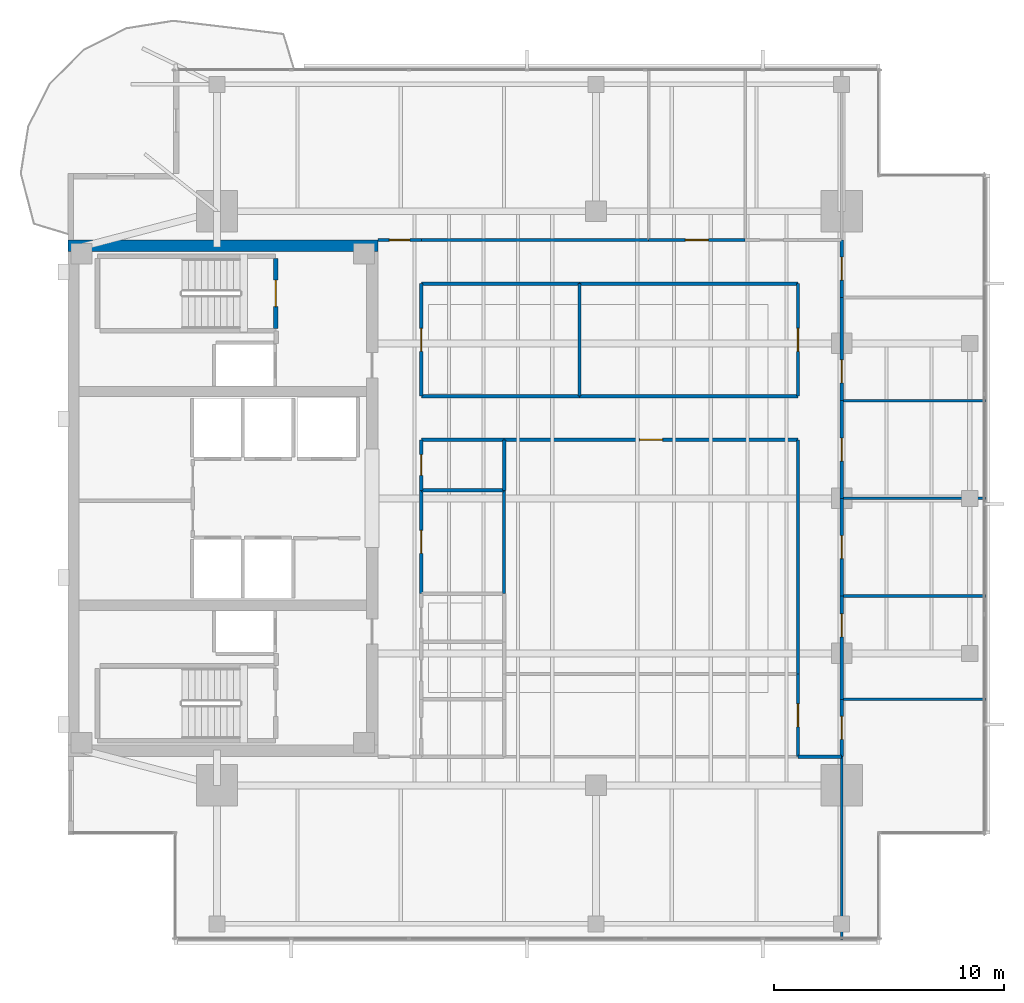
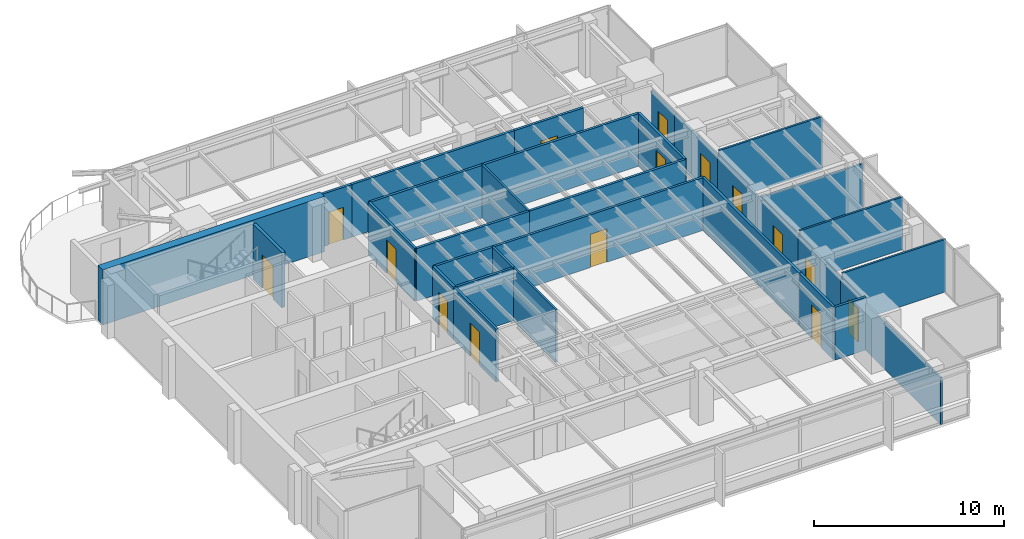
# One storey, part 9 of 14: 33 walls, 15 doors, 15 openings.
"""IFC4 building model written with IfcOpenShell, lengths in metres."""

import ifcopenshell
import ifcopenshell.guid

model = None  # the IFC model being written
_history = None  # IfcOwnerHistory: only IFC2X3 demands one
_inside = {}  # id of a spatial element -> (the spatial element, [elements in it])
_under = {}  # id of a project, library or spatial element -> (it, [spatial elements below it])
_declared = {}  # id of a project -> (the project, [libraries it declares])
_typed = {}  # id of a type object -> (the type object, [elements of that type])
_made_of = {}  # id of a material, layer set ... -> (it, [elements and type objects made of it])


def new_model(schema):
    """Start an empty IFC model of exactly this schema.

    Asked for "IFC4X3", IfcOpenShell would pick the latest addendum, in which some entities
    have other attributes; the version numbers below select the first issue.
    IFC2X3 requires an IfcOwnerHistory on every rooted entity: one is made here for all.
    """
    global model, _history
    if schema == "IFC4X3":
        model = ifcopenshell.file(schema_version=(4, 3, 0, 0))
    else:
        model = ifcopenshell.file(schema=schema)
    _inside.clear()
    _under.clear()
    _declared.clear()
    _typed.clear()
    _made_of.clear()
    _history = None
    if model.schema == "IFC2X3":
        org = make("IfcOrganization", Name="unknown")
        user = make(
            "IfcPersonAndOrganization",
            ThePerson=make("IfcPerson", FamilyName="unknown"),
            TheOrganization=org,
        )
        app = make(
            "IfcApplication",
            ApplicationDeveloper=org,
            Version="unknown",
            ApplicationFullName="unknown",
            ApplicationIdentifier="unknown",
        )
        _history = make(
            "IfcOwnerHistory",
            OwningUser=user,
            OwningApplication=app,
            ChangeAction="ADDED",
            CreationDate=0,
        )
    return model


def make(cls, **values):
    """One entity of the class cls with the attributes given. An attribute that is None is left unset."""
    return model.create_entity(
        cls, **{name: value for name, value in values.items() if value is not None}
    )


def rooted(cls, **values):
    """An entity with a GlobalId (a new one), such as an element, a storey or a relation."""
    return make(cls, GlobalId=ifcopenshell.guid.new(), OwnerHistory=_history, **values)


def si_unit(unit_type, name, prefix=None):
    """IfcSIUnit, for example si_unit("LENGTHUNIT", "METRE", prefix="MILLI")."""
    return make("IfcSIUnit", UnitType=unit_type, Prefix=prefix, Name=name)


def assignment(units):
    """IfcUnitAssignment: the units of a project."""
    return None if units is None else make("IfcUnitAssignment", Units=units)


def point(xyz):
    """IfcCartesianPoint."""
    return None if xyz is None else make("IfcCartesianPoint", Coordinates=xyz)


def direction(xyz):
    """IfcDirection."""
    return None if xyz is None else make("IfcDirection", DirectionRatios=xyz)


def frame(location, z_axis=None, x_axis=None):
    """IfcAxis2Placement3D, a coordinate frame: its origin and axes. An axis left out is left unset."""
    return make(
        "IfcAxis2Placement3D",
        Location=point(location),
        Axis=direction(z_axis),
        RefDirection=direction(x_axis),
    )


def frame_2d(location, x_axis=None):
    """IfcAxis2Placement2D, a coordinate frame in the plane: its origin and x axis."""
    return make(
        "IfcAxis2Placement2D", Location=point(location), RefDirection=direction(x_axis)
    )


def origin():
    """The frame at (0, 0, 0) with its axes left unset."""
    return frame((0.0, 0.0, 0.0))


def place(relative_to, where):
    """IfcLocalPlacement: puts the frame where relative to a parent placement (None: the world)."""
    return make(
        "IfcLocalPlacement", PlacementRelTo=relative_to, RelativePlacement=where
    )


def context(
    kind, dimensions, precision=None, world=None, true_north=None, identifier=None
):
    """IfcGeometricRepresentationContext, for example the 3D "Model" context."""
    return make(
        "IfcGeometricRepresentationContext",
        ContextIdentifier=identifier,
        ContextType=kind,
        CoordinateSpaceDimension=dimensions,
        Precision=precision,
        WorldCoordinateSystem=world,
        TrueNorth=true_north,
    )


def subcontext(parent, identifier, kind, view, scale=None):
    """IfcGeometricRepresentationSubContext, for example "Body" below "Model"."""
    return make(
        "IfcGeometricRepresentationSubContext",
        ContextIdentifier=identifier,
        ContextType=kind,
        ParentContext=parent,
        TargetScale=scale,
        TargetView=view,
    )


def project(units=None, contexts=None):
    """IfcProject with its units and contexts."""
    return rooted(
        "IfcProject",
        Name="project",
        RepresentationContexts=contexts,
        UnitsInContext=assignment(units),
    )


def spatial(cls, under=None, at=None, **own):
    """A site, building, storey or space (cls), placed at a placement, below another one or the project."""
    s = rooted(cls, ObjectPlacement=at, **own)
    if under is not None:
        _under.setdefault(under.id(), (under, []))[1].append(s)
    return s


def profile(cls, at=None, kind="AREA", **sizes):
    """A parametric profile (cls). Its sizes go by their IFC names, for example OverallWidth=200.0."""
    return make(cls, ProfileType=kind, Position=at, **sizes)


def rectangle(**sizes):
    """IfcRectangleProfileDef."""
    return profile("IfcRectangleProfileDef", **sizes)


def extrude(swept, where, along, depth):
    """IfcExtrudedAreaSolid: the profile swept, set in the frame where, extruded along a direction by depth."""
    return make(
        "IfcExtrudedAreaSolid",
        SweptArea=swept,
        Position=where,
        ExtrudedDirection=direction(along),
        Depth=depth,
    )


def shape(context_of_items, identifier, shape_type, items):
    """IfcShapeRepresentation: the items that make up one representation, for example the "Body"."""
    return make(
        "IfcShapeRepresentation",
        ContextOfItems=context_of_items,
        RepresentationIdentifier=identifier,
        RepresentationType=shape_type,
        Items=items,
    )


def material(Name=None, Category=None):
    """IfcMaterial."""
    return make("IfcMaterial", Name=Name, Category=Category)


def layer(
    of_material, thickness, ventilated=None, Name=None, Category=None, Priority=None
):
    """IfcMaterialLayer: one layer of a wall or slab, of a material (None: an air gap)."""
    return make(
        "IfcMaterialLayer",
        Material=of_material,
        LayerThickness=thickness,
        IsVentilated=ventilated,
        Name=Name,
        Category=Category,
        Priority=Priority,
    )


def layer_set(layers, Name=None):
    """IfcMaterialLayerSet."""
    return make("IfcMaterialLayerSet", MaterialLayers=layers, LayerSetName=Name)


def made_of(thing, what):
    """Note that an element or type object is made of a material, layer set ...; save() writes the relation."""
    if what is not None:
        _made_of.setdefault(what.id(), (what, []))[1].append(thing)
    return thing


def type_object(cls, material=None, **own):
    """A type object (cls), such as IfcWallType, which elements share."""
    return made_of(rooted(cls, **own), material)


def element(
    cls,
    number,
    at=None,
    inside=None,
    cuts=None,
    type_object=None,
    material=None,
    context=None,
    identifier="Body",
    shape_type=None,
    held_by="IfcProductDefinitionShape",
    body=None,
    shapes=None,
    **own,
):
    """One element of the class cls, such as IfcWall. Its Tag is "e" and its number.

    at: its placement. inside: the storey or other place that contains it. cuts: it is an
    opening in that element (IfcRelVoidsElement). A single representation is given by context,
    identifier, shape_type and body (its items); several are given by shapes. held_by: the class
    of the entity that holds the representations. save() writes the other relations.
    """
    e = rooted(cls, Tag="e%d" % number, ObjectPlacement=at, **own)
    if body is not None:
        shapes = [shape(context, identifier, shape_type, body)]
    if shapes is not None:
        e.Representation = make(held_by, Representations=shapes)
    if inside is not None:
        _inside.setdefault(inside.id(), (inside, []))[1].append(e)
    if cuts is not None:
        rooted(
            "IfcRelVoidsElement", RelatingBuildingElement=cuts, RelatedOpeningElement=e
        )
    if type_object is not None:
        _typed.setdefault(type_object.id(), (type_object, []))[1].append(e)
    return made_of(e, material)


def fill(opening, filler):
    """IfcRelFillsElement: the door or window that sits in an opening."""
    return rooted(
        "IfcRelFillsElement",
        RelatingOpeningElement=opening,
        RelatedBuildingElement=filler,
    )


def aggregate(whole, parts):
    """IfcRelAggregates: a whole, such as a stair, and the parts it consists of."""
    return rooted("IfcRelAggregates", RelatingObject=whole, RelatedObjects=parts)


def save(model, path):
    """Write the relations noted so far, then the file.

    IfcRelAggregates (storeys below a building ...), IfcRelContainedInSpatialStructure (elements
    in a storey), IfcRelDefinesByType, IfcRelAssociatesMaterial and IfcRelDeclares: one each for
    every whole, place, type object, material and project.
    """
    for whole, parts in _under.values():
        aggregate(whole, parts)
    for where, things in _inside.values():
        rooted(
            "IfcRelContainedInSpatialStructure",
            RelatedElements=things,
            RelatingStructure=where,
        )
    for kind, things in _typed.values():
        rooted("IfcRelDefinesByType", RelatedObjects=things, RelatingType=kind)
    for what, things in _made_of.values():
        rooted("IfcRelAssociatesMaterial", RelatedObjects=things, RelatingMaterial=what)
    for by, libraries in _declared.values():
        rooted("IfcRelDeclares", RelatingContext=by, RelatedDefinitions=libraries)
    model.write(path)


model = new_model("IFC4")

# Units and contexts
model_context = context("Model", 3, precision=1e-05, world=origin(), true_north=direction((0.0, 1.0)))
body_context = subcontext(model_context, "Body", "Model", "MODEL_VIEW")
ifc_project = project(units=[si_unit("LENGTHUNIT", "METRE"), si_unit("AREAUNIT", "SQUARE_METRE"), si_unit("VOLUMEUNIT", "CUBIC_METRE"), si_unit("PLANEANGLEUNIT", "RADIAN"), si_unit("MASSUNIT", "GRAM", prefix="KILO")], contexts=[model_context])

# Site, building, storey
site_placement = place(None, origin())
site = spatial("IfcSite", under=ifc_project, at=site_placement, CompositionType="ELEMENT")
building_placement = place(site_placement, origin())
building = spatial("IfcBuilding", under=site, at=building_placement, Name="Kinhvarn Gate Tower", CompositionType="ELEMENT")
storey_placement = place(building_placement, frame((0.0, 0.0, 281.199951171875)))
storey = spatial("IfcBuildingStorey", under=building, at=storey_placement, Name="L75", CompositionType="ELEMENT", Elevation=281.199951171875)

# Walls
ifc_material_1 = material(Name="Concrete C50/60", Category="concrete")
ifc_layer_1 = layer(ifc_material_1, 0.5)
ifc_layer_set_1 = layer_set([ifc_layer_1], Name="Concrete C50/60")
wall_type_1 = type_object("IfcWallType", Name="WL-CORE-500", PredefinedType="SHEAR", material=ifc_layer_set_1)
wall_1_placement = place(storey_placement, frame((4.5, 36.25, 0.0), z_axis=(0.0, 0.0, 1.0), x_axis=(1.0, 0.0, 0.0)))
element("IfcWall", 1, at=wall_1_placement, inside=storey, type_object=wall_type_1, Name="Core North Shear Wall L75 500 mm", PredefinedType="SHEAR", context=body_context, shape_type="SweptSolid", body=[
    extrude(rectangle(XDim=13.5, YDim=0.5, at=frame_2d((6.75, 0.0))), origin(), (0.0, 0.0, 1.0), 3.550048828125),
])
ifc_material_2 = material(Name="Gypsum acoustic partition board")
ifc_layer_2 = layer(ifc_material_2, 0.14990234375)
ifc_layer_set_2 = layer_set([ifc_layer_2], Name="Gypsum acoustic partition board")
wall_type_2 = type_object("IfcWallType", Name="WL-PLM-150", PredefinedType="PLUMBINGWALL", material=ifc_layer_set_2)
wall_2_placement = place(storey_placement, frame((19.89990234375, 25.60009765625, 0.0), z_axis=(0.0, 0.0, 1.0), x_axis=(1.0, 0.0, 0.0)))
element("IfcWall", 2, at=wall_2_placement, inside=storey, type_object=wall_type_2, Name="Interior Partition PLW-150 (L75)", PredefinedType="PLUMBINGWALL", context=body_context, shape_type="SweptSolid", body=[
    extrude(rectangle(XDim=3.60009765625, YDim=0.14990234375, at=frame_2d((1.800048828125, 0.0))), origin(), (0.0, 0.0, 1.0), 3.39013671875),
])
wall_3_placement = place(storey_placement, frame((23.5, 25.60009765625, 0.0), z_axis=(0.0, 0.0, 1.0), x_axis=(0.0, 1.0, 0.0)))
element("IfcWall", 3, at=wall_3_placement, inside=storey, type_object=wall_type_2, Name="Interior Partition PLW-150 (L75)", PredefinedType="PLUMBINGWALL", context=body_context, shape_type="SweptSolid", body=[
    extrude(rectangle(XDim=2.199951171875, YDim=0.14990234375, at=frame_2d((1.10009765625, 0.0))), origin(), (0.0, 0.0, 1.0), 3.39013671875),
])

# Wall, opening, door
ifc_layer_3 = layer(ifc_material_2, 0.14990234375)
ifc_layer_set_3 = layer_set([ifc_layer_3], Name="Gypsum acoustic partition board")
wall_type_3 = type_object("IfcWallType", Name="WL-PLM-150F", PredefinedType="PLUMBINGWALL", material=ifc_layer_set_3)
wall_4_placement = place(storey_placement, frame((19.89990234375, 25.60009765625, 0.0), z_axis=(0.0, 0.0, 1.0), x_axis=(0.0, 1.0, 0.0)))
wall_4 = element("IfcWall", 4, at=wall_4_placement, inside=storey, type_object=wall_type_3, Name="Interior Partition PLW-150F (L75)", PredefinedType="PLUMBINGWALL", context=body_context, shape_type="SweptSolid", body=[
    extrude(rectangle(XDim=2.199951171875, YDim=0.14990234375, at=frame_2d((1.10009765625, 0.0))), origin(), (0.0, 0.0, 1.0), 3.39013671875),
])
opening_1_placement = place(wall_4_placement, frame((0.64990234375, 0.0, 0.0)))
opening_1 = element("IfcOpeningElement", 5, at=opening_1_placement, cuts=wall_4, Name="Opening FD-04", PredefinedType="OPENING", context=body_context, shape_type="SweptSolid", body=[
    extrude(rectangle(XDim=0.89990234375, YDim=2.10009765625, at=frame_2d((0.449951171875, 1.050048828125))), frame((0.0, 0.0849609375, 0.0), z_axis=(0.0, -1.0, 0.0), x_axis=(1.0, 0.0, 0.0)), (0.0, 0.0, 1.0), 0.169921875),
])
ifc_material_3 = material(Name="Anodised aluminium AW-6063", Category="aluminium")
door_type_1 = type_object("IfcDoorType", Name="DR-FD-900", OperationType="NOTDEFINED", PredefinedType="DOOR", material=ifc_material_3)
door_1_placement = place(opening_1_placement, origin())
door_1 = element("IfcDoor", 6, at=door_1_placement, inside=storey, type_object=door_type_1, Name="Rated Riser & Service Closet Fire Door 900x2100 mm (L75)", OperationType="SINGLE_SWING_LEFT", OverallHeight=2.10009765625, OverallWidth=0.89990234375, PredefinedType="DOOR", context=body_context, shape_type="SweptSolid", body=[
    extrude(rectangle(XDim=0.89990234375, YDim=2.10009765625, at=frame_2d((0.449951171875, 1.050048828125))), frame((0.0, 0.02490234375, 0.0), z_axis=(0.0, -1.0, 0.0), x_axis=(1.0, 0.0, 0.0)), (0.0, 0.0, 1.0), 0.050048828125),
])
fill(opening_1, door_1)

# Walls
wall_5_placement = place(storey_placement, frame((19.89990234375, 27.800048828125, 0.0), z_axis=(0.0, 0.0, 1.0), x_axis=(1.0, 0.0, 0.0)))
element("IfcWall", 7, at=wall_5_placement, inside=storey, type_object=wall_type_3, Name="Interior Partition PLW-150F (L75)", PredefinedType="PLUMBINGWALL", context=body_context, shape_type="SweptSolid", body=[
    extrude(rectangle(XDim=3.60009765625, YDim=0.14990234375, at=frame_2d((1.800048828125, 0.0))), origin(), (0.0, 0.0, 1.0), 3.39013671875),
])
ifc_layer_4 = layer(ifc_material_2, 0.1201171875)
ifc_layer_set_4 = layer_set([ifc_layer_4], Name="Gypsum acoustic partition board")
wall_type_4 = type_object("IfcWallType", Name="WL-PRT-120", PredefinedType="PARTITIONING", material=ifc_layer_set_4)
wall_6_placement = place(storey_placement, frame((26.7900390625, 29.699951171875, 0.0), z_axis=(0.0, 0.0, 1.0), x_axis=(0.0, 1.0, 0.0)))
element("IfcWall", 8, at=wall_6_placement, inside=storey, type_object=wall_type_4, Name="Interior Partition PW-120 (L75)", PredefinedType="PARTITIONING", context=body_context, shape_type="SweptSolid", body=[
    extrude(rectangle(XDim=4.900146484375, YDim=0.1201171875, at=frame_2d((2.4501953125, 0.0))), origin(), (0.0, 0.0, 1.0), 3.39013671875),
])
wall_7_placement = place(storey_placement, frame((23.5, 21.10009765625, 0.0), z_axis=(0.0, 0.0, 1.0), x_axis=(0.0, 1.0, 0.0)))
element("IfcWall", 9, at=wall_7_placement, inside=storey, type_object=wall_type_4, Name="Interior Partition PW-120 (L75)", PredefinedType="PARTITIONING", context=body_context, shape_type="SweptSolid", body=[
    extrude(rectangle(XDim=4.5, YDim=0.1201171875, at=frame_2d((2.25, 0.0))), origin(), (0.0, 0.0, 1.0), 3.39013671875),
])
wall_8_placement = place(storey_placement, frame((38.199951171875, 6.010009765625, 0.0), z_axis=(0.0, 0.0, 1.0), x_axis=(0.0, 1.0, 0.0)))
element("IfcWall", 10, at=wall_8_placement, inside=storey, type_object=wall_type_4, Name="Interior Partition PW-120 (L75)", PredefinedType="PARTITIONING", context=body_context, shape_type="SweptSolid", body=[
    extrude(rectangle(XDim=7.989990234375, YDim=0.1201171875, at=frame_2d((3.9951171875, 0.0))), origin(), (0.0, 0.0, 1.0), 2.989990234375),
])
for number, where, z_axis, x_axis, name in (
    (11, (38.199951171875, 16.5, 0.0), (0.0, 0.0, 1.0), (1.0, 0.0, 0.0), "Interior Partition PW-120 (L75)"),
    (12, (38.199951171875, 21.0, 0.0), (0.0, 0.0, 1.0), (1.0, 0.0, 0.0), "Interior Partition PW-120 (L75)"),
):
    element("IfcWall", number, at=place(storey_placement, frame(where, z_axis=z_axis, x_axis=x_axis)), inside=storey, type_object=wall_type_4, Name=name, PredefinedType="PARTITIONING", context=body_context, shape_type="SweptSolid", body=[
        extrude(rectangle(XDim=6.2900390625, YDim=0.1201171875, at=frame_2d((3.14501953125, 0.0))), origin(), (0.0, 0.0, 1.0), 3.39013671875),
    ])
wall_9_placement = place(storey_placement, frame((38.199951171875, 25.25, 0.0), z_axis=(0.0, 0.0, 1.0), x_axis=(1.0, 0.0, 0.0)))
element("IfcWall", 13, at=wall_9_placement, inside=storey, type_object=wall_type_4, Name="Interior Partition PW-120 (L75)", PredefinedType="PARTITIONING", context=body_context, shape_type="SweptSolid", body=[
    extrude(rectangle(XDim=6.2900390625, YDim=0.1201171875, at=frame_2d((3.14501953125, 0.0))), origin(), (0.0, 0.0, 1.0), 2.93994140625),
])
wall_10_placement = place(storey_placement, frame((38.199951171875, 29.5, 0.0), z_axis=(0.0, 0.0, 1.0), x_axis=(1.0, 0.0, 0.0)))
element("IfcWall", 14, at=wall_10_placement, inside=storey, type_object=wall_type_4, Name="Interior Partition PW-120 (L75)", PredefinedType="PARTITIONING", context=body_context, shape_type="SweptSolid", body=[
    extrude(rectangle(XDim=6.2900390625, YDim=0.1201171875, at=frame_2d((3.14501953125, 0.0))), origin(), (0.0, 0.0, 1.0), 3.39013671875),
])

# Wall, opening, door
ifc_layer_5 = layer(ifc_material_2, 0.14990234375)
ifc_layer_set_5 = layer_set([ifc_layer_5], Name="Gypsum acoustic partition board")
wall_type_5 = type_object("IfcWallType", Name="WL-PRT-150F", PredefinedType="PARTITIONING", material=ifc_layer_set_5)
wall_11_placement = place(storey_placement, frame((19.89990234375, 29.699951171875, 0.0), z_axis=(0.0, 0.0, 1.0), x_axis=(0.0, 1.0, 0.0)))
wall_11 = element("IfcWall", 15, at=wall_11_placement, inside=storey, type_object=wall_type_5, Name="Interior Partition PW-150F (L75)", PredefinedType="PARTITIONING", context=body_context, shape_type="SweptSolid", body=[
    extrude(rectangle(XDim=4.900146484375, YDim=0.14990234375, at=frame_2d((2.4501953125, 0.0))), origin(), (0.0, 0.0, 1.0), 3.39013671875),
])
opening_2_placement = place(wall_11_placement, frame((1.949951171875, 0.0, 0.0)))
opening_2 = element("IfcOpeningElement", 16, at=opening_2_placement, cuts=wall_11, Name="Opening ID-02", PredefinedType="OPENING", context=body_context, shape_type="SweptSolid", body=[
    extrude(rectangle(XDim=1.0, YDim=2.14990234375, at=frame_2d((0.5, 1.074951171875))), frame((0.0, 0.0849609375, 0.0), z_axis=(0.0, -1.0, 0.0), x_axis=(1.0, 0.0, 0.0)), (0.0, 0.0, 1.0), 0.169921875),
])
door_type_2 = type_object("IfcDoorType", Name="DR-INT-1000", OperationType="NOTDEFINED", PredefinedType="DOOR", material=ifc_material_3)
door_2_placement = place(opening_2_placement, origin())
door_2 = element("IfcDoor", 17, at=door_2_placement, inside=storey, type_object=door_type_2, Name="Standard Office & Meeting Room Door 1000x2150 mm (L75)", OperationType="SINGLE_SWING_LEFT", OverallHeight=2.14990234375, OverallWidth=1.0, PredefinedType="DOOR", context=body_context, shape_type="SweptSolid", body=[
    extrude(rectangle(XDim=1.0, YDim=2.14990234375, at=frame_2d((0.5, 1.074951171875))), frame((0.0, 0.02490234375, 0.0), z_axis=(0.0, -1.0, 0.0), x_axis=(1.0, 0.0, 0.0)), (0.0, 0.0, 1.0), 0.050048828125),
])
fill(opening_2, door_2)

wall_12_placement = place(storey_placement, frame((19.89990234375, 21.10009765625, 0.0), z_axis=(0.0, 0.0, 1.0), x_axis=(0.0, 1.0, 0.0)))
wall_12 = element("IfcWall", 18, at=wall_12_placement, inside=storey, type_object=wall_type_5, Name="Interior Partition PW-150F (L75)", PredefinedType="PARTITIONING", context=body_context, shape_type="SweptSolid", body=[
    extrude(rectangle(XDim=4.5, YDim=0.14990234375, at=frame_2d((2.25, 0.0))), origin(), (0.0, 0.0, 1.0), 3.39013671875),
])
opening_3_placement = place(wall_12_placement, frame((1.75, 0.0, 0.0)))
opening_3 = element("IfcOpeningElement", 19, at=opening_3_placement, cuts=wall_12, Name="Opening ID-02", PredefinedType="OPENING", context=body_context, shape_type="SweptSolid", body=[
    extrude(rectangle(XDim=1.0, YDim=2.14990234375, at=frame_2d((0.5, 1.074951171875))), frame((0.0, 0.0849609375, 0.0), z_axis=(0.0, -1.0, 0.0), x_axis=(1.0, 0.0, 0.0)), (0.0, 0.0, 1.0), 0.169921875),
])
door_3_placement = place(opening_3_placement, origin())
door_3 = element("IfcDoor", 20, at=door_3_placement, inside=storey, type_object=door_type_2, Name="Standard Office & Meeting Room Door 1000x2150 mm (L75)", OperationType="SINGLE_SWING_RIGHT", OverallHeight=2.14990234375, OverallWidth=1.0, PredefinedType="DOOR", context=body_context, shape_type="SweptSolid", body=[
    extrude(rectangle(XDim=1.0, YDim=2.14990234375, at=frame_2d((0.5, 1.074951171875))), frame((0.0, 0.02490234375, 0.0), z_axis=(0.0, -1.0, 0.0), x_axis=(1.0, 0.0, 0.0)), (0.0, 0.0, 1.0), 0.050048828125),
])
fill(opening_3, door_3)

wall_13_placement = place(storey_placement, frame((18.0, 36.5, 0.0), z_axis=(0.0, 0.0, 1.0), x_axis=(1.0, 0.0, 0.0)))
wall_13 = element("IfcWall", 21, at=wall_13_placement, inside=storey, type_object=wall_type_5, Name="Interior Partition PW-150F (L75)", PredefinedType="PARTITIONING", context=body_context, shape_type="SweptSolid", body=[
    extrude(rectangle(XDim=1.89990234375, YDim=0.14990234375, at=frame_2d((0.949951171875, 0.0))), origin(), (0.0, 0.0, 1.0), 3.39013671875),
])
opening_4_placement = place(wall_13_placement, frame((0.5, 0.0, 0.0)))
opening_4 = element("IfcOpeningElement", 22, at=opening_4_placement, cuts=wall_13, Name="Opening ID-03", PredefinedType="OPENING", context=body_context, shape_type="SweptSolid", body=[
    extrude(rectangle(XDim=0.89990234375, YDim=2.10009765625, at=frame_2d((0.449951171875, 1.050048828125))), frame((0.0, 0.0849609375, 0.0), z_axis=(0.0, -1.0, 0.0), x_axis=(1.0, 0.0, 0.0)), (0.0, 0.0, 1.0), 0.169921875),
])
door_type_3 = type_object("IfcDoorType", Name="DR-INT-900", OperationType="NOTDEFINED", PredefinedType="DOOR", material=ifc_material_3)
door_4_placement = place(opening_4_placement, origin())
door_4 = element("IfcDoor", 23, at=door_4_placement, inside=storey, type_object=door_type_3, Name="Cellular Office & Restroom Door 900x2100 mm (L75)", OperationType="SINGLE_SWING_RIGHT", OverallHeight=2.10009765625, OverallWidth=0.89990234375, PredefinedType="DOOR", context=body_context, shape_type="SweptSolid", body=[
    extrude(rectangle(XDim=0.89990234375, YDim=2.10009765625, at=frame_2d((0.449951171875, 1.050048828125))), frame((0.0, 0.02490234375, 0.0), z_axis=(0.0, -1.0, 0.0), x_axis=(1.0, 0.0, 0.0)), (0.0, 0.0, 1.0), 0.050048828125),
])
fill(opening_4, door_4)

# Walls
wall_14_placement = place(storey_placement, frame((19.89990234375, 29.699951171875, 0.0), z_axis=(0.0, 0.0, 1.0), x_axis=(1.0, 0.0, 0.0)))
element("IfcWall", 24, at=wall_14_placement, inside=storey, type_object=wall_type_5, Name="Interior Partition PW-150F (L75)", PredefinedType="PARTITIONING", context=body_context, shape_type="SweptSolid", body=[
    extrude(rectangle(XDim=6.89013671875, YDim=0.14990234375, at=frame_2d((3.445068359375, 0.0))), origin(), (0.0, 0.0, 1.0), 3.39013671875),
])
wall_15_placement = place(storey_placement, frame((26.7900390625, 29.699951171875, 0.0), z_axis=(0.0, 0.0, 1.0), x_axis=(1.0, 0.0, 0.0)))
element("IfcWall", 25, at=wall_15_placement, inside=storey, type_object=wall_type_5, Name="Interior Partition PW-150F (L75)", PredefinedType="PARTITIONING", context=body_context, shape_type="SweptSolid", body=[
    extrude(rectangle(XDim=9.510009765625, YDim=0.14990234375, at=frame_2d((4.7548828125, 0.0))), origin(), (0.0, 0.0, 1.0), 3.39013671875),
])

# Wall, opening, door
wall_16_placement = place(storey_placement, frame((23.5, 27.800048828125, 0.0), z_axis=(0.0, 0.0, 1.0), x_axis=(1.0, 0.0, 0.0)))
wall_16 = element("IfcWall", 26, at=wall_16_placement, inside=storey, type_object=wall_type_5, Name="Interior Partition PW-150F (L75)", PredefinedType="PARTITIONING", context=body_context, shape_type="SweptSolid", body=[
    extrude(rectangle(XDim=12.800048828125, YDim=0.14990234375, at=frame_2d((6.39990234375, 0.0))), origin(), (0.0, 0.0, 1.0), 3.39013671875),
])
opening_5_placement = place(wall_16_placement, frame((5.89990234375, 0.0, 0.0)))
opening_5 = element("IfcOpeningElement", 27, at=opening_5_placement, cuts=wall_16, Name="Opening ID-02", PredefinedType="OPENING", context=body_context, shape_type="SweptSolid", body=[
    extrude(rectangle(XDim=1.0, YDim=2.14990234375, at=frame_2d((0.5, 1.074951171875))), frame((0.0, 0.0849609375, 0.0), z_axis=(0.0, -1.0, 0.0), x_axis=(1.0, 0.0, 0.0)), (0.0, 0.0, 1.0), 0.169921875),
])
door_5_placement = place(opening_5_placement, origin())
door_5 = element("IfcDoor", 28, at=door_5_placement, inside=storey, type_object=door_type_2, Name="Standard Office & Meeting Room Door 1000x2150 mm (L75)", OperationType="SINGLE_SWING_LEFT", OverallHeight=2.14990234375, OverallWidth=1.0, PredefinedType="DOOR", context=body_context, shape_type="SweptSolid", body=[
    extrude(rectangle(XDim=1.0, YDim=2.14990234375, at=frame_2d((0.5, 1.074951171875))), frame((0.0, 0.02490234375, 0.0), z_axis=(0.0, -1.0, 0.0), x_axis=(1.0, 0.0, 0.0)), (0.0, 0.0, 1.0), 0.050048828125),
])
fill(opening_5, door_5)

wall_17_placement = place(storey_placement, frame((36.300048828125, 29.699951171875, 0.0), z_axis=(0.0, 0.0, 1.0), x_axis=(0.0, 1.0, 0.0)))
wall_17 = element("IfcWall", 29, at=wall_17_placement, inside=storey, type_object=wall_type_5, Name="Interior Partition PW-150F (L75)", PredefinedType="PARTITIONING", context=body_context, shape_type="SweptSolid", body=[
    extrude(rectangle(XDim=4.900146484375, YDim=0.14990234375, at=frame_2d((2.4501953125, 0.0))), origin(), (0.0, 0.0, 1.0), 3.39013671875),
])
opening_6_placement = place(wall_17_placement, frame((1.949951171875, 0.0, 0.0)))
opening_6 = element("IfcOpeningElement", 30, at=opening_6_placement, cuts=wall_17, Name="Opening ID-02", PredefinedType="OPENING", context=body_context, shape_type="SweptSolid", body=[
    extrude(rectangle(XDim=1.0, YDim=2.14990234375, at=frame_2d((0.5, 1.074951171875))), frame((0.0, 0.0849609375, 0.0), z_axis=(0.0, -1.0, 0.0), x_axis=(1.0, 0.0, 0.0)), (0.0, 0.0, 1.0), 0.169921875),
])
door_6_placement = place(opening_6_placement, origin())
door_6 = element("IfcDoor", 31, at=door_6_placement, inside=storey, type_object=door_type_2, Name="Standard Office & Meeting Room Door 1000x2150 mm (L75)", OperationType="SINGLE_SWING_RIGHT", OverallHeight=2.14990234375, OverallWidth=1.0, PredefinedType="DOOR", context=body_context, shape_type="SweptSolid", body=[
    extrude(rectangle(XDim=1.0, YDim=2.14990234375, at=frame_2d((0.5, 1.074951171875))), frame((0.0, 0.02490234375, 0.0), z_axis=(0.0, -1.0, 0.0), x_axis=(1.0, 0.0, 0.0)), (0.0, 0.0, 1.0), 0.050048828125),
])
fill(opening_6, door_6)

wall_18_placement = place(storey_placement, frame((36.300048828125, 14.0, 0.0), z_axis=(0.0, 0.0, 1.0), x_axis=(0.0, 1.0, 0.0)))
wall_18 = element("IfcWall", 32, at=wall_18_placement, inside=storey, type_object=wall_type_5, Name="Interior Partition PW-150F (L75)", PredefinedType="PARTITIONING", context=body_context, shape_type="SweptSolid", body=[
    extrude(rectangle(XDim=3.60009765625, YDim=0.14990234375, at=frame_2d((1.800048828125, 0.0))), origin(), (0.0, 0.0, 1.0), 3.39013671875),
])
opening_7_placement = place(wall_18_placement, frame((1.300048828125, 0.0, 0.0)))
opening_7 = element("IfcOpeningElement", 33, at=opening_7_placement, cuts=wall_18, Name="Opening ID-02", PredefinedType="OPENING", context=body_context, shape_type="SweptSolid", body=[
    extrude(rectangle(XDim=1.0, YDim=2.14990234375, at=frame_2d((0.5, 1.074951171875))), frame((0.0, 0.0849609375, 0.0), z_axis=(0.0, -1.0, 0.0), x_axis=(1.0, 0.0, 0.0)), (0.0, 0.0, 1.0), 0.169921875),
])
door_7_placement = place(opening_7_placement, origin())
door_7 = element("IfcDoor", 34, at=door_7_placement, inside=storey, type_object=door_type_2, Name="Standard Office & Meeting Room Door 1000x2150 mm (L75)", OperationType="SINGLE_SWING_LEFT", OverallHeight=2.14990234375, OverallWidth=1.0, PredefinedType="DOOR", context=body_context, shape_type="SweptSolid", body=[
    extrude(rectangle(XDim=1.0, YDim=2.14990234375, at=frame_2d((0.5, 1.074951171875))), frame((0.0, 0.02490234375, 0.0), z_axis=(0.0, -1.0, 0.0), x_axis=(1.0, 0.0, 0.0)), (0.0, 0.0, 1.0), 0.050048828125),
])
fill(opening_7, door_7)

# Walls
wall_19_placement = place(storey_placement, frame((36.300048828125, 17.60009765625, 0.0), z_axis=(0.0, 0.0, 1.0), x_axis=(0.0, 1.0, 0.0)))
element("IfcWall", 35, at=wall_19_placement, inside=storey, type_object=wall_type_5, Name="Interior Partition PW-150F (L75)", PredefinedType="PARTITIONING", context=body_context, shape_type="SweptSolid", body=[
    extrude(rectangle(XDim=10.199951171875, YDim=0.14990234375, at=frame_2d((5.10009765625, 0.0))), origin(), (0.0, 0.0, 1.0), 3.39013671875),
])
wall_20_placement = place(storey_placement, frame((36.300048828125, 14.0, 0.0), z_axis=(0.0, 0.0, 1.0), x_axis=(1.0, 0.0, 0.0)))
element("IfcWall", 36, at=wall_20_placement, inside=storey, type_object=wall_type_5, Name="Interior Partition PW-150F (L75)", PredefinedType="PARTITIONING", context=body_context, shape_type="SweptSolid", body=[
    extrude(rectangle(XDim=1.89990234375, YDim=0.14990234375, at=frame_2d((0.949951171875, 0.0))), origin(), (0.0, 0.0, 1.0), 3.39013671875),
])

# Wall, opening, door
wall_21_placement = place(storey_placement, frame((38.199951171875, 14.0, 0.0), z_axis=(0.0, 0.0, 1.0), x_axis=(0.0, 1.0, 0.0)))
wall_21 = element("IfcWall", 37, at=wall_21_placement, inside=storey, type_object=wall_type_5, Name="Interior Partition PW-150F (L75)", PredefinedType="PARTITIONING", context=body_context, shape_type="SweptSolid", body=[
    extrude(rectangle(XDim=2.5, YDim=0.14990234375, at=frame_2d((1.25, 0.0))), origin(), (0.0, 0.0, 1.0), 2.989990234375),
])
opening_8_placement = place(wall_21_placement, frame((0.75, 0.0, 0.0)))
opening_8 = element("IfcOpeningElement", 38, at=opening_8_placement, cuts=wall_21, Name="Opening ID-02", PredefinedType="OPENING", context=body_context, shape_type="SweptSolid", body=[
    extrude(rectangle(XDim=1.0, YDim=2.14990234375, at=frame_2d((0.5, 1.074951171875))), frame((0.0, 0.0849609375, 0.0), z_axis=(0.0, -1.0, 0.0), x_axis=(1.0, 0.0, 0.0)), (0.0, 0.0, 1.0), 0.169921875),
])
door_8_placement = place(opening_8_placement, origin())
door_8 = element("IfcDoor", 39, at=door_8_placement, inside=storey, type_object=door_type_2, Name="Standard Office & Meeting Room Door 1000x2150 mm (L75)", OperationType="SINGLE_SWING_RIGHT", OverallHeight=2.14990234375, OverallWidth=1.0, PredefinedType="DOOR", context=body_context, shape_type="SweptSolid", body=[
    extrude(rectangle(XDim=1.0, YDim=2.14990234375, at=frame_2d((0.5, 1.074951171875))), frame((0.0, 0.02490234375, 0.0), z_axis=(0.0, -1.0, 0.0), x_axis=(1.0, 0.0, 0.0)), (0.0, 0.0, 1.0), 0.050048828125),
])
fill(opening_8, door_8)

wall_22_placement = place(storey_placement, frame((38.199951171875, 16.5, 0.0), z_axis=(0.0, 0.0, 1.0), x_axis=(0.0, 1.0, 0.0)))
wall_22 = element("IfcWall", 40, at=wall_22_placement, inside=storey, type_object=wall_type_5, Name="Interior Partition PW-150F (L75)", PredefinedType="PARTITIONING", context=body_context, shape_type="SweptSolid", body=[
    extrude(rectangle(XDim=4.5, YDim=0.14990234375, at=frame_2d((2.25, 0.0))), origin(), (0.0, 0.0, 1.0), 2.989990234375),
])
opening_9_placement = place(wall_22_placement, frame((2.721923828125, 0.0, 0.0)))
opening_9 = element("IfcOpeningElement", 41, at=opening_9_placement, cuts=wall_22, Name="Opening ID-02", PredefinedType="OPENING", context=body_context, shape_type="SweptSolid", body=[
    extrude(rectangle(XDim=1.0, YDim=2.14990234375, at=frame_2d((0.5, 1.074951171875))), frame((0.0, 0.0849609375, 0.0), z_axis=(0.0, -1.0, 0.0), x_axis=(1.0, 0.0, 0.0)), (0.0, 0.0, 1.0), 0.169921875),
])
door_9_placement = place(opening_9_placement, origin())
door_9 = element("IfcDoor", 42, at=door_9_placement, inside=storey, type_object=door_type_2, Name="Standard Office & Meeting Room Door 1000x2150 mm (L75)", OperationType="SINGLE_SWING_LEFT", OverallHeight=2.14990234375, OverallWidth=1.0, PredefinedType="DOOR", context=body_context, shape_type="SweptSolid", body=[
    extrude(rectangle(XDim=1.0, YDim=2.14990234375, at=frame_2d((0.5, 1.074951171875))), frame((0.0, 0.02490234375, 0.0), z_axis=(0.0, -1.0, 0.0), x_axis=(1.0, 0.0, 0.0)), (0.0, 0.0, 1.0), 0.050048828125),
])
fill(opening_9, door_9)

wall_23_placement = place(storey_placement, frame((38.199951171875, 21.0, 0.0), z_axis=(0.0, 0.0, 1.0), x_axis=(0.0, 1.0, 0.0)))
wall_23 = element("IfcWall", 43, at=wall_23_placement, inside=storey, type_object=wall_type_5, Name="Interior Partition PW-150F (L75)", PredefinedType="PARTITIONING", context=body_context, shape_type="SweptSolid", body=[
    extrude(rectangle(XDim=4.25, YDim=0.14990234375, at=frame_2d((2.125, 0.0))), origin(), (0.0, 0.0, 1.0), 2.989990234375),
])
opening_10_placement = place(wall_23_placement, frame((1.625, 0.0, 0.0)))
opening_10 = element("IfcOpeningElement", 44, at=opening_10_placement, cuts=wall_23, Name="Opening ID-02", PredefinedType="OPENING", context=body_context, shape_type="SweptSolid", body=[
    extrude(rectangle(XDim=1.0, YDim=2.14990234375, at=frame_2d((0.5, 1.074951171875))), frame((0.0, 0.0849609375, 0.0), z_axis=(0.0, -1.0, 0.0), x_axis=(1.0, 0.0, 0.0)), (0.0, 0.0, 1.0), 0.169921875),
])
door_10_placement = place(opening_10_placement, origin())
door_10 = element("IfcDoor", 45, at=door_10_placement, inside=storey, type_object=door_type_2, Name="Standard Office & Meeting Room Door 1000x2150 mm (L75)", OperationType="SINGLE_SWING_RIGHT", OverallHeight=2.14990234375, OverallWidth=1.0, PredefinedType="DOOR", context=body_context, shape_type="SweptSolid", body=[
    extrude(rectangle(XDim=1.0, YDim=2.14990234375, at=frame_2d((0.5, 1.074951171875))), frame((0.0, 0.02490234375, 0.0), z_axis=(0.0, -1.0, 0.0), x_axis=(1.0, 0.0, 0.0)), (0.0, 0.0, 1.0), 0.050048828125),
])
fill(opening_10, door_10)

wall_24_placement = place(storey_placement, frame((38.199951171875, 25.25, 0.0), z_axis=(0.0, 0.0, 1.0), x_axis=(0.0, 1.0, 0.0)))
wall_24 = element("IfcWall", 46, at=wall_24_placement, inside=storey, type_object=wall_type_5, Name="Interior Partition PW-150F (L75)", PredefinedType="PARTITIONING", context=body_context, shape_type="SweptSolid", body=[
    extrude(rectangle(XDim=4.25, YDim=0.14990234375, at=frame_2d((2.125, 0.0))), origin(), (0.0, 0.0, 1.0), 2.989990234375),
])
opening_11_placement = place(wall_24_placement, frame((1.625, 0.0, 0.0)))
opening_11 = element("IfcOpeningElement", 47, at=opening_11_placement, cuts=wall_24, Name="Opening ID-02", PredefinedType="OPENING", context=body_context, shape_type="SweptSolid", body=[
    extrude(rectangle(XDim=1.0, YDim=2.14990234375, at=frame_2d((0.5, 1.074951171875))), frame((0.0, 0.0849609375, 0.0), z_axis=(0.0, -1.0, 0.0), x_axis=(1.0, 0.0, 0.0)), (0.0, 0.0, 1.0), 0.169921875),
])
door_11_placement = place(opening_11_placement, origin())
door_11 = element("IfcDoor", 48, at=door_11_placement, inside=storey, type_object=door_type_2, Name="Standard Office & Meeting Room Door 1000x2150 mm (L75)", OperationType="SINGLE_SWING_LEFT", OverallHeight=2.14990234375, OverallWidth=1.0, PredefinedType="DOOR", context=body_context, shape_type="SweptSolid", body=[
    extrude(rectangle(XDim=1.0, YDim=2.14990234375, at=frame_2d((0.5, 1.074951171875))), frame((0.0, 0.02490234375, 0.0), z_axis=(0.0, -1.0, 0.0), x_axis=(1.0, 0.0, 0.0)), (0.0, 0.0, 1.0), 0.050048828125),
])
fill(opening_11, door_11)

wall_25_placement = place(storey_placement, frame((38.199951171875, 29.5, 0.0), z_axis=(0.0, 0.0, 1.0), x_axis=(0.0, 1.0, 0.0)))
wall_25 = element("IfcWall", 49, at=wall_25_placement, inside=storey, type_object=wall_type_5, Name="Interior Partition PW-150F (L75)", PredefinedType="PARTITIONING", context=body_context, shape_type="SweptSolid", body=[
    extrude(rectangle(XDim=4.5, YDim=0.14990234375, at=frame_2d((2.25, 0.0))), origin(), (0.0, 0.0, 1.0), 2.989990234375),
])
opening_12_placement = place(wall_25_placement, frame((0.778076171875, 0.0, 0.0)))
opening_12 = element("IfcOpeningElement", 50, at=opening_12_placement, cuts=wall_25, Name="Opening ID-02", PredefinedType="OPENING", context=body_context, shape_type="SweptSolid", body=[
    extrude(rectangle(XDim=1.0, YDim=2.14990234375, at=frame_2d((0.5, 1.074951171875))), frame((0.0, 0.0849609375, 0.0), z_axis=(0.0, -1.0, 0.0), x_axis=(1.0, 0.0, 0.0)), (0.0, 0.0, 1.0), 0.169921875),
])
door_12_placement = place(opening_12_placement, origin())
door_12 = element("IfcDoor", 51, at=door_12_placement, inside=storey, type_object=door_type_2, Name="Standard Office & Meeting Room Door 1000x2150 mm (L75)", OperationType="SINGLE_SWING_RIGHT", OverallHeight=2.14990234375, OverallWidth=1.0, PredefinedType="DOOR", context=body_context, shape_type="SweptSolid", body=[
    extrude(rectangle(XDim=1.0, YDim=2.14990234375, at=frame_2d((0.5, 1.074951171875))), frame((0.0, 0.02490234375, 0.0), z_axis=(0.0, -1.0, 0.0), x_axis=(1.0, 0.0, 0.0)), (0.0, 0.0, 1.0), 0.050048828125),
])
fill(opening_12, door_12)

wall_26_placement = place(storey_placement, frame((38.199951171875, 34.0, 0.0), z_axis=(0.0, 0.0, 1.0), x_axis=(0.0, 1.0, 0.0)))
wall_26 = element("IfcWall", 52, at=wall_26_placement, inside=storey, type_object=wall_type_5, Name="Interior Partition PW-150F (L75)", PredefinedType="PARTITIONING", context=body_context, shape_type="SweptSolid", body=[
    extrude(rectangle(XDim=2.5, YDim=0.14990234375, at=frame_2d((1.25, 0.0))), origin(), (0.0, 0.0, 1.0), 2.989990234375),
])
opening_13_placement = place(wall_26_placement, frame((0.75, 0.0, 0.0)))
opening_13 = element("IfcOpeningElement", 53, at=opening_13_placement, cuts=wall_26, Name="Opening ID-02", PredefinedType="OPENING", context=body_context, shape_type="SweptSolid", body=[
    extrude(rectangle(XDim=1.0, YDim=2.14990234375, at=frame_2d((0.5, 1.074951171875))), frame((0.0, 0.0849609375, 0.0), z_axis=(0.0, -1.0, 0.0), x_axis=(1.0, 0.0, 0.0)), (0.0, 0.0, 1.0), 0.169921875),
])
door_13_placement = place(opening_13_placement, origin())
door_13 = element("IfcDoor", 54, at=door_13_placement, inside=storey, type_object=door_type_2, Name="Standard Office & Meeting Room Door 1000x2150 mm (L75)", OperationType="SINGLE_SWING_LEFT", OverallHeight=2.14990234375, OverallWidth=1.0, PredefinedType="DOOR", context=body_context, shape_type="SweptSolid", body=[
    extrude(rectangle(XDim=1.0, YDim=2.14990234375, at=frame_2d((0.5, 1.074951171875))), frame((0.0, 0.02490234375, 0.0), z_axis=(0.0, -1.0, 0.0), x_axis=(1.0, 0.0, 0.0)), (0.0, 0.0, 1.0), 0.050048828125),
])
fill(opening_13, door_13)

# Walls
wall_27_placement = place(storey_placement, frame((19.89990234375, 34.60009765625, 0.0), z_axis=(0.0, 0.0, 1.0), x_axis=(1.0, 0.0, 0.0)))
element("IfcWall", 55, at=wall_27_placement, inside=storey, type_object=wall_type_5, Name="Interior Partition PW-150F (L75)", PredefinedType="PARTITIONING", context=body_context, shape_type="SweptSolid", body=[
    extrude(rectangle(XDim=6.89013671875, YDim=0.14990234375, at=frame_2d((3.445068359375, 0.0))), origin(), (0.0, 0.0, 1.0), 3.39013671875),
])
wall_28_placement = place(storey_placement, frame((26.7900390625, 34.60009765625, 0.0), z_axis=(0.0, 0.0, 1.0), x_axis=(1.0, 0.0, 0.0)))
element("IfcWall", 56, at=wall_28_placement, inside=storey, type_object=wall_type_5, Name="Interior Partition PW-150F (L75)", PredefinedType="PARTITIONING", context=body_context, shape_type="SweptSolid", body=[
    extrude(rectangle(XDim=9.510009765625, YDim=0.14990234375, at=frame_2d((4.7548828125, 0.0))), origin(), (0.0, 0.0, 1.0), 3.39013671875),
])
wall_29_placement = place(storey_placement, frame((19.89990234375, 36.5, 0.0), z_axis=(0.0, 0.0, 1.0), x_axis=(1.0, 0.0, 0.0)))
element("IfcWall", 57, at=wall_29_placement, inside=storey, type_object=wall_type_5, Name="Interior Partition PW-150F (L75)", PredefinedType="PARTITIONING", context=body_context, shape_type="SweptSolid", body=[
    extrude(rectangle(XDim=9.900146484375, YDim=0.14990234375, at=frame_2d((4.9501953125, 0.0))), origin(), (0.0, 0.0, 1.0), 3.39013671875),
])

# Wall, opening, door
wall_30_placement = place(storey_placement, frame((29.800048828125, 36.5, 0.0), z_axis=(0.0, 0.0, 1.0), x_axis=(1.0, 0.0, 0.0)))
wall_30 = element("IfcWall", 58, at=wall_30_placement, inside=storey, type_object=wall_type_5, Name="Interior Partition PW-150F (L75)", PredefinedType="PARTITIONING", context=body_context, shape_type="SweptSolid", body=[
    extrude(rectangle(XDim=4.199951171875, YDim=0.14990234375, at=frame_2d((2.10009765625, 0.0))), origin(), (0.0, 0.0, 1.0), 3.39013671875),
])
opening_14_placement = place(wall_30_placement, frame((1.60009765625, 0.0, 0.0)))
opening_14 = element("IfcOpeningElement", 59, at=opening_14_placement, cuts=wall_30, Name="Opening ID-02", PredefinedType="OPENING", context=body_context, shape_type="SweptSolid", body=[
    extrude(rectangle(XDim=1.0, YDim=2.14990234375, at=frame_2d((0.5, 1.074951171875))), frame((0.0, 0.0849609375, 0.0), z_axis=(0.0, -1.0, 0.0), x_axis=(1.0, 0.0, 0.0)), (0.0, 0.0, 1.0), 0.169921875),
])
door_14_placement = place(opening_14_placement, origin())
door_14 = element("IfcDoor", 60, at=door_14_placement, inside=storey, type_object=door_type_2, Name="Standard Office & Meeting Room Door 1000x2150 mm (L75)", OperationType="SINGLE_SWING_RIGHT", OverallHeight=2.14990234375, OverallWidth=1.0, PredefinedType="DOOR", context=body_context, shape_type="SweptSolid", body=[
    extrude(rectangle(XDim=1.0, YDim=2.14990234375, at=frame_2d((0.5, 1.074951171875))), frame((0.0, 0.02490234375, 0.0), z_axis=(0.0, -1.0, 0.0), x_axis=(1.0, 0.0, 0.0)), (0.0, 0.0, 1.0), 0.050048828125),
])
fill(opening_14, door_14)

ifc_material_4 = material(Name="Concrete C40/50", Category="concrete")
ifc_layer_6 = layer(ifc_material_4, 0.199951171875)
ifc_layer_set_6 = layer_set([ifc_layer_6], Name="Concrete C40/50")
wall_type_6 = type_object("IfcWallType", Name="WL-SHF-200", PredefinedType="SOLIDWALL", material=ifc_layer_set_6)
wall_31_placement = place(storey_placement, frame((13.56005859375, 32.64990234375, 0.0), z_axis=(0.0, 0.0, 1.0), x_axis=(0.0, 1.0, 0.0)))
wall_31 = element("IfcWall", 61, at=wall_31_placement, inside=storey, type_object=wall_type_6, Name="Stair ST2 East Entry Wall (L75)", PredefinedType="SOLIDWALL", context=body_context, shape_type="SweptSolid", body=[
    extrude(rectangle(XDim=3.050048828125, YDim=0.199951171875, at=frame_2d((1.52490234375, 0.0))), origin(), (0.0, 0.0, 1.0), 3.550048828125),
])
opening_15_placement = place(wall_31_placement, frame((0.949951171875, 0.0, 0.0)))
opening_15 = element("IfcOpeningElement", 62, at=opening_15_placement, cuts=wall_31, Name="Opening FD-01", PredefinedType="OPENING", context=body_context, shape_type="SweptSolid", body=[
    extrude(rectangle(XDim=1.14990234375, YDim=2.14990234375, at=frame_2d((0.574951171875, 1.074951171875))), frame((0.0, 0.10986328125, 0.0), z_axis=(0.0, -1.0, 0.0), x_axis=(1.0, 0.0, 0.0)), (0.0, 0.0, 1.0), 0.219970703125),
])
door_type_4 = type_object("IfcDoorType", Name="DR-ST-1150", OperationType="NOTDEFINED", PredefinedType="DOOR", material=ifc_material_3)
door_15_placement = place(opening_15_placement, origin())
door_15 = element("IfcDoor", 63, at=door_15_placement, inside=storey, type_object=door_type_4, Name="Exit Stair ST2 Fire Door (L75)", OperationType="SINGLE_SWING_RIGHT", OverallHeight=2.14990234375, OverallWidth=1.14990234375, PredefinedType="DOOR", context=body_context, shape_type="SweptSolid", body=[
    extrude(rectangle(XDim=1.14990234375, YDim=2.14990234375, at=frame_2d((0.574951171875, 1.074951171875))), frame((0.0, 0.02490234375, 0.0), z_axis=(0.0, -1.0, 0.0), x_axis=(1.0, 0.0, 0.0)), (0.0, 0.0, 1.0), 0.050048828125),
])
fill(opening_15, door_15)

save(model, "model.ifc")
